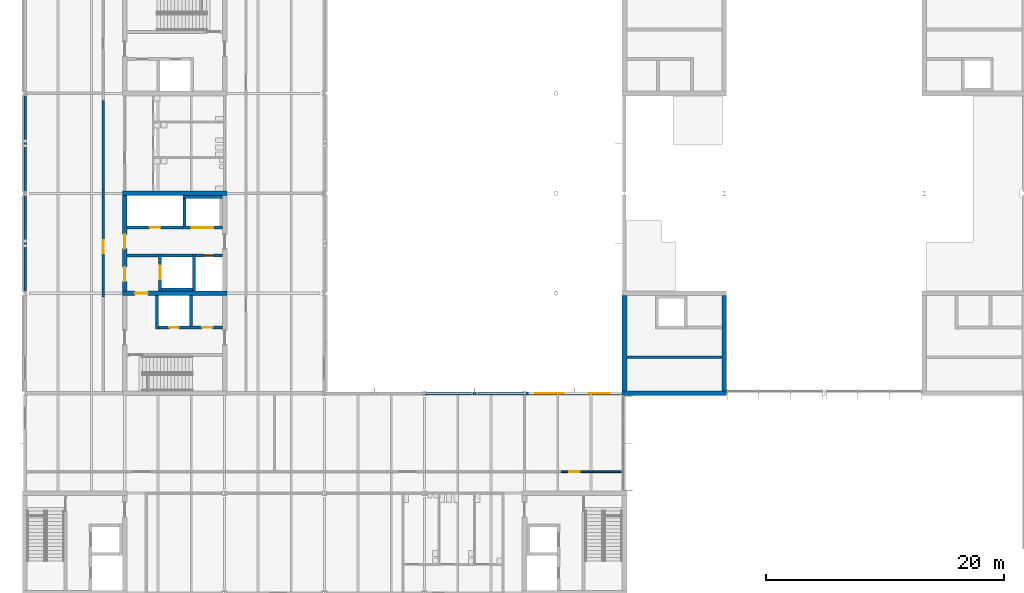
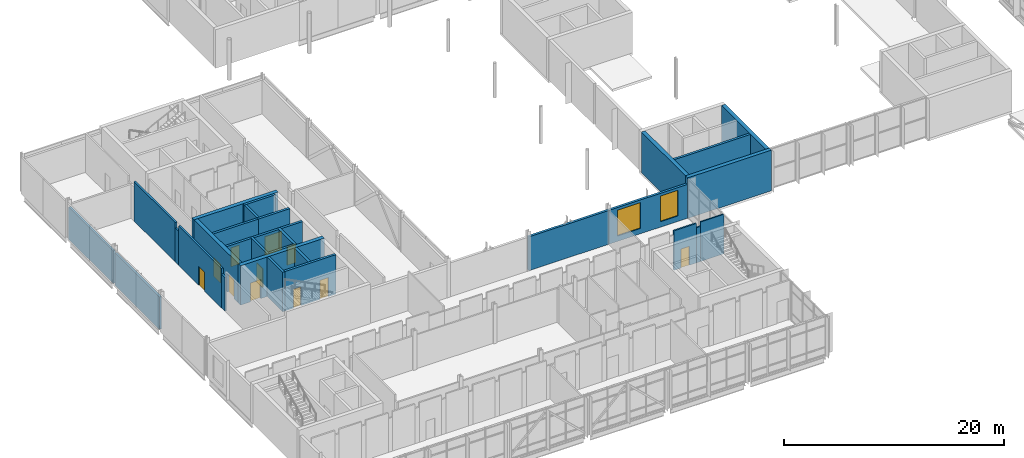
# One storey, part 50 of 89: 31 walls, 11 doors, 2 windows, 13 openings.
"""IFC4 building model written with IfcOpenShell, lengths in metres."""

from ifc_helpers import new_model, si_unit, direction, frame, frame_2d, origin, place, context, subcontext, project, spatial, rectangle, extrude, material, layer, layer_set, type_object, element, fill, save


model = new_model("IFC4")

# Units and contexts
model_context = context("Model", 3, precision=1e-05, world=origin(), true_north=direction((0.0, 1.0)))
body_context = subcontext(model_context, "Body", "Model", "MODEL_VIEW")
ifc_project = project(units=[si_unit("LENGTHUNIT", "METRE"), si_unit("AREAUNIT", "SQUARE_METRE"), si_unit("VOLUMEUNIT", "CUBIC_METRE"), si_unit("PLANEANGLEUNIT", "RADIAN"), si_unit("MASSUNIT", "GRAM", prefix="KILO")], contexts=[model_context])

# Site, building, storey
site_placement = place(None, origin())
site = spatial("IfcSite", under=ifc_project, at=site_placement, CompositionType="ELEMENT")
building_placement = place(site_placement, origin())
building = spatial("IfcBuilding", under=site, at=building_placement, Name="Hlaing Beacon Police Headquarters", CompositionType="ELEMENT")
storey_placement = place(building_placement, frame((0.0, 0.0, 9.89990234375)))
storey = spatial("IfcBuildingStorey", under=building, at=storey_placement, Name="L02", CompositionType="ELEMENT", Elevation=9.89990234375)

# Walls
ifc_material_1 = material(Name="Concrete C60/75", Category="concrete")
ifc_layer_1 = layer(ifc_material_1, 0.39990234375)
ifc_layer_set_1 = layer_set([ifc_layer_1], Name="Concrete C60/75")
wall_type_1 = type_object("IfcWallType", Name="Core shear wall 400", PredefinedType="SHEAR", material=ifc_layer_set_1)
wall_1_placement = place(storey_placement, frame((58.60009765625, 33.60009765625, 0.0), z_axis=(0.0, 0.0, 1.0), x_axis=(1.0, 0.0, 0.0)))
element("IfcWall", 1, at=wall_1_placement, inside=storey, type_object=wall_type_1, Name="Core shear wall", PredefinedType="SHEAR", context=body_context, shape_type="SweptSolid", body=[
    extrude(rectangle(XDim=8.7998046875, YDim=0.39990234375, at=frame_2d((4.39990234375, 0.0))), origin(), (0.0, 0.0, 1.0), 4.5),
])
for number, where, z_axis, x_axis, name in (
    (2, (58.800048828125, 33.800048828125, 0.0), (0.0, 0.0, 1.0), (0.0, 1.0, 0.0), "Core shear wall"),
    (3, (67.199951171875, 33.800048828125, 0.0), (0.0, 0.0, 1.0), (0.0, 1.0, 0.0), "Core shear wall"),
):
    element("IfcWall", number, at=place(storey_placement, frame(where, z_axis=z_axis, x_axis=x_axis)), inside=storey, type_object=wall_type_1, Name=name, PredefinedType="SHEAR", context=body_context, shape_type="SweptSolid", body=[
        extrude(rectangle(XDim=8.0, YDim=0.39990234375, at=frame_2d((4.0, 0.0))), origin(), (0.0, 0.0, 1.0), 4.5),
    ])

# Wall, opening, door
wall_2_placement = place(storey_placement, frame((16.60009765625, 42.0, 0.0), z_axis=(0.0, 0.0, 1.0), x_axis=(1.0, 0.0, 0.0)))
wall_2 = element("IfcWall", 4, at=wall_2_placement, inside=storey, type_object=wall_type_1, Name="Core shear wall", PredefinedType="SHEAR", context=body_context, shape_type="SweptSolid", body=[
    extrude(rectangle(XDim=8.7998046875, YDim=0.39990234375, at=frame_2d((4.39990234375, 0.0))), origin(), (0.0, 0.0, 1.0), 4.3701171875),
])
opening_1_placement = place(wall_2_placement, frame((1.050048828125, 0.0, 0.0)))
opening_1 = element("IfcOpeningElement", 5, at=opening_1_placement, cuts=wall_2, Name="Opening L02-932", PredefinedType="OPENING", context=body_context, shape_type="SweptSolid", body=[
    extrude(rectangle(XDim=1.10009765625, YDim=2.10009765625, at=frame_2d((0.550048828125, 1.050048828125))), frame((0.0, 0.2099609375, 0.0), z_axis=(0.0, -1.0, 0.0), x_axis=(1.0, 0.0, 0.0)), (0.0, 0.0, 1.0), 0.419921875),
])
ifc_material_2 = material(Name="Steel fire door leaf", Category="steel")
ifc_layer_2 = layer(ifc_material_2, 0.070068359375)
ifc_layer_set_2 = layer_set([ifc_layer_2], Name="Steel fire door leaf")
door_type_1 = type_object("IfcDoorType", Name="Steel fire door FD60S 1100x2100", OperationType="SINGLE_SWING_LEFT", PredefinedType="DOOR", material=ifc_layer_set_2)
door_1_placement = place(opening_1_placement, frame((1.10009765625, 0.0, 0.0), z_axis=(0.0, 0.0, 1.0), x_axis=(-1.0, 0.0, 0.0)))
door_1 = element("IfcDoor", 6, at=door_1_placement, inside=storey, type_object=door_type_1, Name="Door Firefighting Lobby Stair", OperationType="SINGLE_SWING_LEFT", OverallHeight=2.10009765625, OverallWidth=1.10009765625, PredefinedType="DOOR", context=body_context, shape_type="SweptSolid", body=[
    extrude(rectangle(XDim=1.10009765625, YDim=2.10009765625, at=frame_2d((0.550048828125, 1.050048828125))), frame((0.0, 0.034912109375, 0.0), z_axis=(0.0, -1.0, 0.0), x_axis=(1.0, 0.0, 0.0)), (0.0, 0.0, 1.0), 0.070068359375),
])
fill(opening_1, door_1)

# Wall
wall_3_placement = place(storey_placement, frame((16.60009765625, 50.39990234375, 0.0), z_axis=(0.0, 0.0, 1.0), x_axis=(1.0, 0.0, 0.0)))
element("IfcWall", 7, at=wall_3_placement, inside=storey, type_object=wall_type_1, Name="Core shear wall", PredefinedType="SHEAR", context=body_context, shape_type="SweptSolid", body=[
    extrude(rectangle(XDim=8.7998046875, YDim=0.39990234375, at=frame_2d((4.39990234375, 0.0))), origin(), (0.0, 0.0, 1.0), 4.3701171875),
])

# Wall, openings, doors
wall_4_placement = place(storey_placement, frame((16.800048828125, 42.199951171875, 0.0), z_axis=(0.0, 0.0, 1.0), x_axis=(0.0, 1.0, 0.0)))
wall_4 = element("IfcWall", 8, at=wall_4_placement, inside=storey, type_object=wall_type_1, Name="Core shear wall", PredefinedType="SHEAR", context=body_context, shape_type="SweptSolid", body=[
    extrude(rectangle(XDim=8.0, YDim=0.39990234375, at=frame_2d((4.0, 0.0))), origin(), (0.0, 0.0, 1.0), 4.3701171875),
])
opening_2_placement = place(wall_4_placement, frame((3.550048828125, 0.0, 0.0)))
opening_2 = element("IfcOpeningElement", 9, at=opening_2_placement, cuts=wall_4, Name="Opening L02-929", PredefinedType="OPENING", context=body_context, shape_type="SweptSolid", body=[
    extrude(rectangle(XDim=1.199951171875, YDim=2.10009765625, at=frame_2d((0.60009765625, 1.050048828125))), frame((0.0, 0.2099609375, 0.0), z_axis=(0.0, -1.0, 0.0), x_axis=(1.0, 0.0, 0.0)), (0.0, 0.0, 1.0), 0.419921875),
])
opening_3_placement = place(wall_4_placement, frame((0.800048828125, 0.0, 0.0)))
opening_3 = element("IfcOpeningElement", 10, at=opening_3_placement, cuts=wall_4, Name="Opening L02-931", PredefinedType="OPENING", context=body_context, shape_type="SweptSolid", body=[
    extrude(rectangle(XDim=1.199951171875, YDim=2.10009765625, at=frame_2d((0.60009765625, 1.050048828125))), frame((0.0, 0.2099609375, 0.0), z_axis=(0.0, -1.0, 0.0), x_axis=(1.0, 0.0, 0.0)), (0.0, 0.0, 1.0), 0.419921875),
])
ifc_material_3 = material(Name="Steel fire door leaf", Category="steel")
ifc_layer_3 = layer(ifc_material_3, 0.070068359375)
ifc_layer_set_3 = layer_set([ifc_layer_3], Name="Steel fire door leaf")
door_type_2 = type_object("IfcDoorType", Name="Steel fire door FD60S 1200x2100", OperationType="SINGLE_SWING_LEFT", PredefinedType="DOOR", material=ifc_layer_set_3)
door_2_placement = place(opening_2_placement, frame((1.199951171875, 0.0, 0.0), z_axis=(0.0, 0.0, 1.0), x_axis=(-1.0, 0.0, 0.0)))
door_2 = element("IfcDoor", 11, at=door_2_placement, inside=storey, type_object=door_type_2, Name="Door Lift Lobby Entry", OperationType="SINGLE_SWING_RIGHT", OverallHeight=2.10009765625, OverallWidth=1.199951171875, PredefinedType="DOOR", context=body_context, shape_type="SweptSolid", body=[
    extrude(rectangle(XDim=1.199951171875, YDim=2.10009765625, at=frame_2d((0.599853515625, 1.050048828125))), frame((0.0, 0.034912109375, 0.0), z_axis=(0.0, -1.0, 0.0), x_axis=(1.0, 0.0, 0.0)), (0.0, 0.0, 1.0), 0.070068359375),
])
fill(opening_2, door_2)
door_3_placement = place(opening_3_placement, frame((1.199951171875, 0.0, 0.0), z_axis=(0.0, 0.0, 1.0), x_axis=(-1.0, 0.0, 0.0)))
door_3 = element("IfcDoor", 12, at=door_3_placement, inside=storey, type_object=door_type_2, Name="Door Firefighting Lobby Entry", OperationType="SINGLE_SWING_LEFT", OverallHeight=2.10009765625, OverallWidth=1.199951171875, PredefinedType="DOOR", context=body_context, shape_type="SweptSolid", body=[
    extrude(rectangle(XDim=1.199951171875, YDim=2.10009765625, at=frame_2d((0.599853515625, 1.050048828125))), frame((0.0, 0.034912109375, 0.0), z_axis=(0.0, -1.0, 0.0), x_axis=(1.0, 0.0, 0.0)), (0.0, 0.0, 1.0), 0.070068359375),
])
fill(opening_3, door_3)

# Wall, opening, door
ifc_material_4 = material(Name="Gypsum board partition")
ifc_layer_4 = layer(ifc_material_4, 0.14990234375)
ifc_layer_set_4 = layer_set([ifc_layer_4], Name="Gypsum board partition")
wall_type_2 = type_object("IfcWallType", Name="Corridor wall EI 30 150", PredefinedType="PARTITIONING", material=ifc_layer_set_4)
wall_5_placement = place(storey_placement, frame((53.429931640625, 27.0, 0.0), z_axis=(0.0, 0.0, 1.0), x_axis=(1.0, 0.0, 0.0)))
wall_5 = element("IfcWall", 13, at=wall_5_placement, inside=storey, type_object=wall_type_2, Name="Corridor wall EI 30 150", PredefinedType="PARTITIONING", context=body_context, shape_type="SweptSolid", body=[
    extrude(rectangle(XDim=2.340087890625, YDim=0.14990234375, at=frame_2d((1.169921875, 0.0))), origin(), (0.0, 0.0, 1.0), 4.3701171875),
])
opening_4_placement = place(wall_5_placement, frame((0.719970703125, 0.0, 0.0)))
opening_4 = element("IfcOpeningElement", 14, at=opening_4_placement, cuts=wall_5, Name="Opening L02-014", PredefinedType="OPENING", context=body_context, shape_type="SweptSolid", body=[
    extrude(rectangle(XDim=0.89990234375, YDim=2.10009765625, at=frame_2d((0.449951171875, 1.050048828125))), frame((0.0, 0.0849609375, 0.0), z_axis=(0.0, -1.0, 0.0), x_axis=(1.0, 0.0, 0.0)), (0.0, 0.0, 1.0), 0.169921875),
])
ifc_material_5 = material(Name="Hardwood door leaf", Category="wood")
ifc_layer_5 = layer(ifc_material_5, 0.050048828125)
ifc_layer_set_5 = layer_set([ifc_layer_5], Name="Hardwood door leaf")
door_type_3 = type_object("IfcDoorType", Name="Fire door FD30S 900x2100", OperationType="SINGLE_SWING_LEFT", PredefinedType="DOOR", material=ifc_layer_set_5)
door_4_placement = place(opening_4_placement, origin())
door_4 = element("IfcDoor", 15, at=door_4_placement, inside=storey, type_object=door_type_3, Name="Door Executive Support Office", OperationType="SINGLE_SWING_RIGHT", OverallHeight=2.10009765625, OverallWidth=0.89990234375, PredefinedType="DOOR", context=body_context, shape_type="SweptSolid", body=[
    extrude(rectangle(XDim=0.89990234375, YDim=2.10009765625, at=frame_2d((0.449951171875, 1.050048828125))), frame((0.0, 0.02490234375, 0.0), z_axis=(0.0, -1.0, 0.0), x_axis=(1.0, 0.0, 0.0)), (0.0, 0.0, 1.0), 0.050048828125),
])
fill(opening_4, door_4)

# Walls
wall_6_placement = place(storey_placement, frame((55.77001953125, 27.0, 0.0), z_axis=(0.0, 0.0, 1.0), x_axis=(1.0, 0.0, 0.0)))
element("IfcWall", 16, at=wall_6_placement, inside=storey, type_object=wall_type_2, Name="Corridor wall EI 30 150", PredefinedType="PARTITIONING", context=body_context, shape_type="SweptSolid", body=[
    extrude(rectangle(XDim=0.4599609375, YDim=0.14990234375, at=frame_2d((0.22998046875, 0.0))), origin(), (0.0, 0.0, 1.0), 3.89501953125),
])
wall_7_placement = place(storey_placement, frame((56.22998046875, 27.0, 0.0), z_axis=(0.0, 0.0, 1.0), x_axis=(1.0, 0.0, 0.0)))
element("IfcWall", 17, at=wall_7_placement, inside=storey, type_object=wall_type_2, Name="Corridor wall EI 30 150", PredefinedType="PARTITIONING", context=body_context, shape_type="SweptSolid", body=[
    extrude(rectangle(XDim=2.419921875, YDim=0.14990234375, at=frame_2d((1.2099609375, 0.0))), origin(), (0.0, 0.0, 1.0), 4.3701171875),
])
ifc_material_6 = material(Name="Concrete blockwork 7.5 N/mm2", Category="masonry")
ifc_layer_6 = layer(ifc_material_6, 0.199951171875)
ifc_layer_set_6 = layer_set([ifc_layer_6], Name="Concrete blockwork 7.5 N/mm2")
wall_type_3 = type_object("IfcWallType", Name="Laboratory wall EI 60 200", PredefinedType="PARTITIONING", material=ifc_layer_set_6)
wall_8_placement = place(storey_placement, frame((15.0, 41.695068359375, 0.0), z_axis=(0.0, 0.0, 1.0), x_axis=(0.0, 1.0, 0.0)))
element("IfcWall", 18, at=wall_8_placement, inside=storey, type_object=wall_type_3, Name="Laboratory wall EI 60 200", PredefinedType="PARTITIONING", context=body_context, shape_type="SweptSolid", body=[
    extrude(rectangle(XDim=0.60986328125, YDim=0.199951171875, at=frame_2d((0.304931640625, 0.0))), origin(), (0.0, 0.0, 1.0), 3.74609375),
])

# Wall, opening, door
wall_9_placement = place(storey_placement, frame((15.0, 42.304931640625, 0.0), z_axis=(0.0, 0.0, 1.0), x_axis=(0.0, 1.0, 0.0)))
wall_9 = element("IfcWall", 19, at=wall_9_placement, inside=storey, type_object=wall_type_3, Name="Laboratory wall EI 60 200", PredefinedType="PARTITIONING", context=body_context, shape_type="SweptSolid", body=[
    extrude(rectangle(XDim=7.7900390625, YDim=0.199951171875, at=frame_2d((3.89501953125, 0.0))), origin(), (0.0, 0.0, 1.0), 4.3701171875),
])
opening_5_placement = place(wall_9_placement, frame((3.044921875, 0.0, 0.0)))
opening_5 = element("IfcOpeningElement", 20, at=opening_5_placement, cuts=wall_9, Name="Opening L02-036", PredefinedType="OPENING", context=body_context, shape_type="SweptSolid", body=[
    extrude(rectangle(XDim=1.10009765625, YDim=2.10009765625, at=frame_2d((0.550048828125, 1.050048828125))), frame((0.0, 0.10986328125, 0.0), z_axis=(0.0, -1.0, 0.0), x_axis=(1.0, 0.0, 0.0)), (0.0, 0.0, 1.0), 0.219970703125),
])
ifc_material_7 = material(Name="Hardwood door leaf", Category="wood")
ifc_layer_7 = layer(ifc_material_7, 0.050048828125)
ifc_layer_set_7 = layer_set([ifc_layer_7], Name="Hardwood door leaf")
door_type_4 = type_object("IfcDoorType", Name="Fire door FD30 1100x2100", OperationType="SINGLE_SWING_LEFT", PredefinedType="DOOR", material=ifc_layer_set_7)
door_5_placement = place(opening_5_placement, origin())
door_5 = element("IfcDoor", 21, at=door_5_placement, inside=storey, type_object=door_type_4, Name="Door Chemistry Forensic Laboratory", OperationType="SINGLE_SWING_LEFT", OverallHeight=2.10009765625, OverallWidth=1.10009765625, PredefinedType="DOOR", context=body_context, shape_type="SweptSolid", body=[
    extrude(rectangle(XDim=1.10009765625, YDim=2.10009765625, at=frame_2d((0.550048828125, 1.050048828125))), frame((0.0, 0.02490234375, 0.0), z_axis=(0.0, -1.0, 0.0), x_axis=(1.0, 0.0, 0.0)), (0.0, 0.0, 1.0), 0.050048828125),
])
fill(opening_5, door_5)

# Walls
wall_10_placement = place(storey_placement, frame((15.0, 50.094970703125, 0.0), z_axis=(0.0, 0.0, 1.0), x_axis=(0.0, 1.0, 0.0)))
element("IfcWall", 22, at=wall_10_placement, inside=storey, type_object=wall_type_3, Name="Laboratory wall EI 60 200", PredefinedType="PARTITIONING", context=body_context, shape_type="SweptSolid", body=[
    extrude(rectangle(XDim=0.610107421875, YDim=0.199951171875, at=frame_2d((0.30517578125, 0.0))), origin(), (0.0, 0.0, 1.0), 3.74609375),
])
wall_11_placement = place(storey_placement, frame((15.0, 50.705078125, 0.0), z_axis=(0.0, 0.0, 1.0), x_axis=(0.0, 1.0, 0.0)))
element("IfcWall", 23, at=wall_11_placement, inside=storey, type_object=wall_type_3, Name="Laboratory wall EI 60 200", PredefinedType="PARTITIONING", context=body_context, shape_type="SweptSolid", body=[
    extrude(rectangle(XDim=7.48486328125, YDim=0.199951171875, at=frame_2d((3.742431640625, 0.0))), origin(), (0.0, 0.0, 1.0), 4.3701171875),
])

# Wall, openings, windows
ifc_material_8 = material(Name="Concrete C40/50 precast ribbed cladding", Category="concrete")
ifc_layer_8 = layer(ifc_material_8, 0.25)
ifc_layer_set_8 = layer_set([ifc_layer_8], Name="Concrete C40/50 precast ribbed cladding")
wall_type_4 = type_object("IfcWallType", Name="Precast ribbed wall 250", PredefinedType="SOLIDWALL", material=ifc_layer_set_8)
wall_12_placement = place(storey_placement, frame((58.60009765625, 33.574951171875, 0.0), z_axis=(0.0, 0.0, 1.0), x_axis=(-1.0, 0.0, 0.0)))
wall_12 = element("IfcWall", 24, at=wall_12_placement, inside=storey, type_object=wall_type_4, Name="External wall L02 N013", PredefinedType="SOLIDWALL", context=body_context, shape_type="SweptSolid", body=[
    extrude(rectangle(XDim=8.196044921875, YDim=0.25, at=frame_2d((4.09814453125, 0.0))), origin(), (0.0, 0.0, 1.0), 3.74609375),
])
opening_6_placement = place(wall_12_placement, frame((1.0, 0.0, 0.60009765625)))
opening_6 = element("IfcOpeningElement", 25, at=opening_6_placement, cuts=wall_12, Name="Opening WN29", PredefinedType="OPENING", context=body_context, shape_type="SweptSolid", body=[
    extrude(rectangle(XDim=1.800048828125, YDim=2.85009765625, at=frame_2d((0.89990234375, 1.425048828125))), frame((0.0, 0.135009765625, 0.0), z_axis=(0.0, -1.0, 0.0), x_axis=(1.0, 0.0, 0.0)), (0.0, 0.0, 1.0), 0.27001953125),
])
opening_7_placement = place(wall_12_placement, frame((4.89990234375, 0.0, 0.60009765625)))
opening_7 = element("IfcOpeningElement", 26, at=opening_7_placement, cuts=wall_12, Name="Opening WN30", PredefinedType="OPENING", context=body_context, shape_type="SweptSolid", body=[
    extrude(rectangle(XDim=2.39990234375, YDim=2.85009765625, at=frame_2d((1.199951171875, 1.425048828125))), frame((0.0, 0.135009765625, 0.0), z_axis=(0.0, -1.0, 0.0), x_axis=(1.0, 0.0, 0.0)), (0.0, 0.0, 1.0), 0.27001953125),
])
ifc_material_9 = material(Name="Aluminium frame with solar control glazing", Category="aluminium")
window_type_1 = type_object("IfcWindowType", Name="Wide window 1800x2850 frame 60", PartitioningType="SINGLE_PANEL", PredefinedType="WINDOW", material=ifc_material_9)
window_1_placement = place(opening_6_placement, origin())
window_1 = element("IfcWindow", 27, at=window_1_placement, inside=storey, type_object=window_type_1, Name="Window L02 WM", OverallHeight=2.85009765625, OverallWidth=1.800048828125, PartitioningType="SINGLE_PANEL", PredefinedType="WINDOW", context=body_context, shape_type="SweptSolid", body=[
    extrude(rectangle(XDim=1.800048828125, YDim=2.85009765625, at=frame_2d((0.89990234375, 1.425048828125))), frame((0.0, 0.030029296875, 0.0), z_axis=(0.0, -1.0, 0.0), x_axis=(1.0, 0.0, 0.0)), (0.0, 0.0, 1.0), 0.06005859375),
])
fill(opening_6, window_1)
ifc_material_10 = material(Name="Aluminium frame with solar control glazing", Category="aluminium")
window_type_2 = type_object("IfcWindowType", Name="Window 2400x2850 frame 60", PartitioningType="SINGLE_PANEL", PredefinedType="WINDOW", material=ifc_material_10)
window_2_placement = place(opening_7_placement, origin())
window_2 = element("IfcWindow", 28, at=window_2_placement, inside=storey, type_object=window_type_2, Name="Window L02 WA", OverallHeight=2.85009765625, OverallWidth=2.39990234375, PartitioningType="SINGLE_PANEL", PredefinedType="WINDOW", context=body_context, shape_type="SweptSolid", body=[
    extrude(rectangle(XDim=2.39990234375, YDim=2.85009765625, at=frame_2d((1.199951171875, 1.425048828125))), frame((0.0, 0.030029296875, 0.0), z_axis=(0.0, -1.0, 0.0), x_axis=(1.0, 0.0, 0.0)), (0.0, 0.0, 1.0), 0.06005859375),
])
fill(opening_7, window_2)

# Walls
wall_13_placement = place(storey_placement, frame((50.39599609375, 33.574951171875, 0.0), z_axis=(0.0, 0.0, 1.0), x_axis=(-1.0, 0.0, 0.0)))
element("IfcWall", 29, at=wall_13_placement, inside=storey, type_object=wall_type_4, Name="External wall L02 N014", PredefinedType="SOLIDWALL", context=body_context, shape_type="SweptSolid", body=[
    extrude(rectangle(XDim=8.39208984375, YDim=0.25, at=frame_2d((4.196044921875, 0.0))), origin(), (0.0, 0.0, 1.0), 3.7431640625),
])
ifc_material_11 = material(Name="Fibre cement ribbed cladding on insulated frame")
ifc_layer_9 = layer(ifc_material_11, 0.22509765625)
ifc_layer_set_9 = layer_set([ifc_layer_9], Name="Fibre cement ribbed cladding on insulated frame")
wall_type_5 = type_object("IfcWallType", Name="Ribbed fibre-cement clad wall 225", PredefinedType="SOLIDWALL", material=ifc_layer_set_9)
for number, where, z_axis, x_axis, name in (
    (30, (8.4375, 58.62939453125, 0.0), (0.0, 0.0, 1.0), (0.0, -1.0, 0.0), "External wall L02 W023"),
    (31, (8.4375, 50.229248046875, 0.0), (0.0, 0.0, 1.0), (0.0, -1.0, 0.0), "External wall L02 W024"),
):
    element("IfcWall", number, at=place(storey_placement, frame(where, z_axis=z_axis, x_axis=x_axis)), inside=storey, type_object=wall_type_5, Name=name, PredefinedType="SOLIDWALL", context=body_context, shape_type="SweptSolid", body=[
        extrude(rectangle(XDim=8.05859375, YDim=0.22509765625, at=frame_2d((4.029296875, 0.0))), origin(), (0.0, 0.0, 1.0), 3.588134765625),
    ])
ifc_material_12 = material(Name="Concrete C40/50", Category="concrete")
ifc_layer_10 = layer(ifc_material_12, 0.25)
ifc_layer_set_10 = layer_set([ifc_layer_10], Name="Concrete C40/50")
wall_type_6 = type_object("IfcWallType", Name="Shaft wall 250", PredefinedType="SOLIDWALL", material=ifc_layer_set_10)
wall_14_placement = place(storey_placement, frame((59.0, 36.625, 0.0), z_axis=(0.0, 0.0, 1.0), x_axis=(1.0, 0.0, 0.0)))
element("IfcWall", 32, at=wall_14_placement, inside=storey, type_object=wall_type_6, Name="Stair enclosure wall", PredefinedType="SOLIDWALL", context=body_context, shape_type="SweptSolid", body=[
    extrude(rectangle(XDim=8.0, YDim=0.25, at=frame_2d((4.0, 0.0))), origin(), (0.0, 0.0, 1.0), 4.5),
])

# Wall, opening, door
wall_15_placement = place(storey_placement, frame((21.699951171875, 47.52490234375, 0.0), z_axis=(0.0, 0.0, 1.0), x_axis=(-1.0, 0.0, 0.0)))
wall_15 = element("IfcWall", 33, at=wall_15_placement, inside=storey, type_object=wall_type_6, Name="Lobby wall", PredefinedType="SOLIDWALL", context=body_context, shape_type="SweptSolid", body=[
    extrude(rectangle(XDim=4.699951171875, YDim=0.25, at=frame_2d((2.35009765625, 0.0))), origin(), (0.0, 0.0, 1.0), 4.3701171875),
])
opening_8_placement = place(wall_15_placement, frame((1.89990234375, 0.0, 0.0)))
opening_8 = element("IfcOpeningElement", 34, at=opening_8_placement, cuts=wall_15, Name="Opening L02-933", PredefinedType="OPENING", context=body_context, shape_type="SweptSolid", body=[
    extrude(rectangle(XDim=0.89990234375, YDim=2.10009765625, at=frame_2d((0.449951171875, 1.050048828125))), frame((0.0, 0.135009765625, 0.0), z_axis=(0.0, -1.0, 0.0), x_axis=(1.0, 0.0, 0.0)), (0.0, 0.0, 1.0), 0.27001953125),
])
ifc_material_13 = material(Name="Steel fire door leaf", Category="steel")
ifc_layer_11 = layer(ifc_material_13, 0.070068359375)
ifc_layer_set_11 = layer_set([ifc_layer_11], Name="Steel fire door leaf")
door_type_5 = type_object("IfcDoorType", Name="Steel fire door FD60 900x2100", OperationType="SINGLE_SWING_LEFT", PredefinedType="DOOR", material=ifc_layer_set_11)
door_6_placement = place(opening_8_placement, frame((0.89990234375, 0.0, 0.0), z_axis=(0.0, 0.0, 1.0), x_axis=(-1.0, 0.0, 0.0)))
door_6 = element("IfcDoor", 35, at=door_6_placement, inside=storey, type_object=door_type_5, Name="Door Services Riser", OperationType="SINGLE_SWING_RIGHT", OverallHeight=2.10009765625, OverallWidth=0.89990234375, PredefinedType="DOOR", context=body_context, shape_type="SweptSolid", body=[
    extrude(rectangle(XDim=0.89990234375, YDim=2.10009765625, at=frame_2d((0.449951171875, 1.050048828125))), frame((0.0, 0.034912109375, 0.0), z_axis=(0.0, -1.0, 0.0), x_axis=(1.0, 0.0, 0.0)), (0.0, 0.0, 1.0), 0.070068359375),
])
fill(opening_8, door_6)

wall_16_placement = place(storey_placement, frame((25.0, 45.175048828125, 0.0), z_axis=(0.0, 0.0, 1.0), x_axis=(-1.0, 0.0, 0.0)))
wall_16 = element("IfcWall", 36, at=wall_16_placement, inside=storey, type_object=wall_type_6, Name="Lobby wall", PredefinedType="SOLIDWALL", context=body_context, shape_type="SweptSolid", body=[
    extrude(rectangle(XDim=2.25, YDim=0.25, at=frame_2d((1.125, 0.0))), origin(), (0.0, 0.0, 1.0), 4.3701171875),
])
opening_9_placement = place(wall_16_placement, frame((0.675048828125, 0.0, 0.0)))
opening_9 = element("IfcOpeningElement", 37, at=opening_9_placement, cuts=wall_16, Name="Opening L02-934", PredefinedType="OPENING", context=body_context, shape_type="SweptSolid", body=[
    extrude(rectangle(XDim=0.89990234375, YDim=2.10009765625, at=frame_2d((0.449951171875, 1.050048828125))), frame((0.0, 0.135009765625, 0.0), z_axis=(0.0, -1.0, 0.0), x_axis=(1.0, 0.0, 0.0)), (0.0, 0.0, 1.0), 0.27001953125),
])
ifc_material_14 = material(Name="Steel fire door leaf", Category="steel")
ifc_layer_12 = layer(ifc_material_14, 0.10009765625)
ifc_layer_set_12 = layer_set([ifc_layer_12], Name="Steel fire door leaf")
door_type_6 = type_object("IfcDoorType", Name="Steel fire door FD120 900x2100", OperationType="SINGLE_SWING_LEFT", PredefinedType="DOOR", material=ifc_layer_set_12)
door_7_placement = place(opening_9_placement, origin())
door_7 = element("IfcDoor", 38, at=door_7_placement, inside=storey, type_object=door_type_6, Name="Door Electrical Riser Room", OperationType="SINGLE_SWING_LEFT", OverallHeight=2.10009765625, OverallWidth=0.89990234375, PredefinedType="DOOR", context=body_context, shape_type="SweptSolid", body=[
    extrude(rectangle(XDim=0.89990234375, YDim=2.10009765625, at=frame_2d((0.449951171875, 1.050048828125))), frame((0.0, 0.050048828125, 0.0), z_axis=(0.0, -1.0, 0.0), x_axis=(1.0, 0.0, 0.0)), (0.0, 0.0, 1.0), 0.10009765625),
])
fill(opening_9, door_7)

# Walls
wall_17_placement = place(storey_placement, frame((19.64990234375, 45.175048828125, 0.0), z_axis=(0.0, 0.0, 1.0), x_axis=(-1.0, 0.0, 0.0)))
element("IfcWall", 39, at=wall_17_placement, inside=storey, type_object=wall_type_6, Name="Firefighting lobby wall", PredefinedType="SOLIDWALL", context=body_context, shape_type="SweptSolid", body=[
    extrude(rectangle(XDim=2.64990234375, YDim=0.25, at=frame_2d((1.324951171875, 0.0))), origin(), (0.0, 0.0, 1.0), 4.3701171875),
])
wall_18_placement = place(storey_placement, frame((19.52490234375, 39.0, 0.0), z_axis=(0.0, 0.0, 1.0), x_axis=(0.0, 1.0, 0.0)))
element("IfcWall", 40, at=wall_18_placement, inside=storey, type_object=wall_type_6, Name="Lobby wall", PredefinedType="SOLIDWALL", context=body_context, shape_type="SweptSolid", body=[
    extrude(rectangle(XDim=2.800048828125, YDim=0.25, at=frame_2d((1.39990234375, 0.0))), origin(), (0.0, 0.0, 1.0), 4.3701171875),
])

# Wall, openings, doors
wall_19_placement = place(storey_placement, frame((19.64990234375, 39.125, 0.0), z_axis=(0.0, 0.0, 1.0), x_axis=(1.0, 0.0, 0.0)))
wall_19 = element("IfcWall", 41, at=wall_19_placement, inside=storey, type_object=wall_type_6, Name="Lobby wall", PredefinedType="SOLIDWALL", context=body_context, shape_type="SweptSolid", body=[
    extrude(rectangle(XDim=5.35009765625, YDim=0.25, at=frame_2d((2.675048828125, 0.0))), origin(), (0.0, 0.0, 1.0), 4.3701171875),
])
opening_10_placement = place(wall_19_placement, frame((3.64990234375, 0.0, 0.0)))
opening_10 = element("IfcOpeningElement", 42, at=opening_10_placement, cuts=wall_19, Name="Opening L02-940", PredefinedType="OPENING", context=body_context, shape_type="SweptSolid", body=[
    extrude(rectangle(XDim=0.89990234375, YDim=2.10009765625, at=frame_2d((0.449951171875, 1.050048828125))), frame((0.0, 0.135009765625, 0.0), z_axis=(0.0, -1.0, 0.0), x_axis=(1.0, 0.0, 0.0)), (0.0, 0.0, 1.0), 0.27001953125),
])
opening_11_placement = place(wall_19_placement, frame((0.89990234375, 0.0, 0.0)))
opening_11 = element("IfcOpeningElement", 43, at=opening_11_placement, cuts=wall_19, Name="Opening L02-943", PredefinedType="OPENING", context=body_context, shape_type="SweptSolid", body=[
    extrude(rectangle(XDim=0.800048828125, YDim=2.10009765625, at=frame_2d((0.39990234375, 1.050048828125))), frame((0.0, 0.135009765625, 0.0), z_axis=(0.0, -1.0, 0.0), x_axis=(1.0, 0.0, 0.0)), (0.0, 0.0, 1.0), 0.27001953125),
])
ifc_material_15 = material(Name="Steel fire door leaf", Category="steel")
ifc_layer_13 = layer(ifc_material_15, 0.070068359375)
ifc_layer_set_13 = layer_set([ifc_layer_13], Name="Steel fire door leaf")
door_type_7 = type_object("IfcDoorType", Name="Steel fire door FD60 800x2100", OperationType="SINGLE_SWING_LEFT", PredefinedType="DOOR", material=ifc_layer_set_13)
door_8_placement = place(opening_11_placement, origin())
door_8 = element("IfcDoor", 44, at=door_8_placement, inside=storey, type_object=door_type_7, Name="Door Services Riser", OperationType="SINGLE_SWING_RIGHT", OverallHeight=2.10009765625, OverallWidth=0.800048828125, PredefinedType="DOOR", context=body_context, shape_type="SweptSolid", body=[
    extrude(rectangle(XDim=0.800048828125, YDim=2.10009765625, at=frame_2d((0.39990234375, 1.050048828125))), frame((0.0, 0.03515625, 0.0), z_axis=(0.0, -1.0, 0.0), x_axis=(1.0, 0.0, 0.0)), (0.0, 0.0, 1.0), 0.070068359375),
])
fill(opening_11, door_8)
door_9_placement = place(opening_10_placement, origin())
door_9 = element("IfcDoor", 45, at=door_9_placement, inside=storey, type_object=door_type_5, Name="Door Cleaners' Store", OperationType="SINGLE_SWING_LEFT", OverallHeight=2.10009765625, OverallWidth=0.89990234375, PredefinedType="DOOR", context=body_context, shape_type="SweptSolid", body=[
    extrude(rectangle(XDim=0.89990234375, YDim=2.10009765625, at=frame_2d((0.449951171875, 1.050048828125))), frame((0.0, 0.03515625, 0.0), z_axis=(0.0, -1.0, 0.0), x_axis=(1.0, 0.0, 0.0)), (0.0, 0.0, 1.0), 0.070068359375),
])
fill(opening_10, door_9)

# Walls
wall_20_placement = place(storey_placement, frame((22.375, 39.25, 0.0), z_axis=(0.0, 0.0, 1.0), x_axis=(0.0, 1.0, 0.0)))
element("IfcWall", 46, at=wall_20_placement, inside=storey, type_object=wall_type_6, Name="Riser wall", PredefinedType="SOLIDWALL", context=body_context, shape_type="SweptSolid", body=[
    extrude(rectangle(XDim=2.550048828125, YDim=0.25, at=frame_2d((1.27490234375, 0.0))), origin(), (0.0, 0.0, 1.0), 4.3701171875),
])
wall_21_placement = place(storey_placement, frame((21.699951171875, 50.074951171875, 0.0), z_axis=(0.0, 0.0, 1.0), x_axis=(1.0, 0.0, 0.0)))
element("IfcWall", 47, at=wall_21_placement, inside=storey, type_object=wall_type_6, Name="Lift shaft wall EL1", PredefinedType="SOLIDWALL", context=body_context, shape_type="SweptSolid", body=[
    extrude(rectangle(XDim=3.300048828125, YDim=0.25, at=frame_2d((1.64990234375, 0.0))), origin(), (0.0, 0.0, 1.0), 4.3701171875),
])

# Wall, opening, door
wall_22_placement = place(storey_placement, frame((21.699951171875, 47.52490234375, 0.0), z_axis=(0.0, 0.0, 1.0), x_axis=(1.0, 0.0, 0.0)))
wall_22 = element("IfcWall", 48, at=wall_22_placement, inside=storey, type_object=wall_type_6, Name="Lift shaft wall EL1", PredefinedType="SOLIDWALL", context=body_context, shape_type="SweptSolid", body=[
    extrude(rectangle(XDim=3.300048828125, YDim=0.25, at=frame_2d((1.64990234375, 0.0))), origin(), (0.0, 0.0, 1.0), 4.3701171875),
])
opening_12_placement = place(wall_22_placement, frame((0.75, 0.0, 0.0)))
opening_12 = element("IfcOpeningElement", 49, at=opening_12_placement, cuts=wall_22, Name="Opening LD-EL1-L02", PredefinedType="OPENING", context=body_context, shape_type="SweptSolid", body=[
    extrude(rectangle(XDim=1.800048828125, YDim=2.10009765625, at=frame_2d((0.89990234375, 1.050048828125))), frame((0.0, 0.135009765625, 0.0), z_axis=(0.0, -1.0, 0.0), x_axis=(1.0, 0.0, 0.0)), (0.0, 0.0, 1.0), 0.27001953125),
])
ifc_material_16 = material(Name="Stainless steel lift landing door", Category="steel")
ifc_layer_14 = layer(ifc_material_16, 0.06005859375)
ifc_layer_set_14 = layer_set([ifc_layer_14], Name="Stainless steel lift landing door")
door_type_8 = type_object("IfcDoorType", Name="Lift landing door 1800x2100", OperationType="DOUBLE_DOOR_SLIDING", PredefinedType="DOOR", material=ifc_layer_set_14)
door_10_placement = place(opening_12_placement, origin())
door_10 = element("IfcDoor", 50, at=door_10_placement, inside=storey, type_object=door_type_8, Name="Landing door EL1 L02", OperationType="DOUBLE_DOOR_SLIDING", OverallHeight=2.10009765625, OverallWidth=1.800048828125, PredefinedType="DOOR", context=body_context, shape_type="SweptSolid", body=[
    extrude(rectangle(XDim=1.800048828125, YDim=2.10009765625, at=frame_2d((0.89990234375, 1.050048828125))), frame((0.0, 0.0400390625, 0.0), z_axis=(0.0, -1.0, 0.0), x_axis=(1.0, 0.0, 0.0)), (0.0, 0.0, 1.0), 0.080078125),
])
fill(opening_12, door_10)

# Walls
wall_23_placement = place(storey_placement, frame((21.824951171875, 47.64990234375, 0.0), z_axis=(0.0, 0.0, 1.0), x_axis=(0.0, 1.0, 0.0)))
element("IfcWall", 51, at=wall_23_placement, inside=storey, type_object=wall_type_6, Name="Lift shaft wall EL1", PredefinedType="SOLIDWALL", context=body_context, shape_type="SweptSolid", body=[
    extrude(rectangle(XDim=2.300048828125, YDim=0.25, at=frame_2d((1.14990234375, 0.0))), origin(), (0.0, 0.0, 1.0), 4.3701171875),
])
wall_24_placement = place(storey_placement, frame((22.625, 42.199951171875, 0.0), z_axis=(0.0, 0.0, 1.0), x_axis=(0.0, 1.0, 0.0)))
element("IfcWall", 52, at=wall_24_placement, inside=storey, type_object=wall_type_6, Name="Lift shaft wall FL2", PredefinedType="SOLIDWALL", context=body_context, shape_type="SweptSolid", body=[
    extrude(rectangle(XDim=3.10009765625, YDim=0.25, at=frame_2d((1.550048828125, 0.0))), origin(), (0.0, 0.0, 1.0), 4.3701171875),
])
for number, where, z_axis, x_axis, name in (
    (53, (19.89990234375, 45.175048828125, 0.0), (0.0, 0.0, 1.0), (1.0, 0.0, 0.0), "Lift shaft wall FL2"),
    (54, (19.89990234375, 42.324951171875, 0.0), (0.0, 0.0, 1.0), (1.0, 0.0, 0.0), "Lift shaft wall FL2"),
):
    element("IfcWall", number, at=place(storey_placement, frame(where, z_axis=z_axis, x_axis=x_axis)), inside=storey, type_object=wall_type_6, Name=name, PredefinedType="SOLIDWALL", context=body_context, shape_type="SweptSolid", body=[
        extrude(rectangle(XDim=2.60009765625, YDim=0.25, at=frame_2d((1.300048828125, 0.0))), origin(), (0.0, 0.0, 1.0), 4.3701171875),
    ])

# Wall, opening, door
wall_25_placement = place(storey_placement, frame((19.77490234375, 42.199951171875, 0.0), z_axis=(0.0, 0.0, 1.0), x_axis=(0.0, 1.0, 0.0)))
wall_25 = element("IfcWall", 55, at=wall_25_placement, inside=storey, type_object=wall_type_6, Name="Lift shaft wall FL2", PredefinedType="SOLIDWALL", context=body_context, shape_type="SweptSolid", body=[
    extrude(rectangle(XDim=3.10009765625, YDim=0.25, at=frame_2d((1.550048828125, 0.0))), origin(), (0.0, 0.0, 1.0), 4.3701171875),
])
opening_13_placement = place(wall_25_placement, frame((1.0, 0.0, 0.0)))
opening_13 = element("IfcOpeningElement", 56, at=opening_13_placement, cuts=wall_25, Name="Opening LD-FL2-L02", PredefinedType="OPENING", context=body_context, shape_type="SweptSolid", body=[
    extrude(rectangle(XDim=1.10009765625, YDim=2.10009765625, at=frame_2d((0.550048828125, 1.050048828125))), frame((0.0, 0.135009765625, 0.0), z_axis=(0.0, -1.0, 0.0), x_axis=(1.0, 0.0, 0.0)), (0.0, 0.0, 1.0), 0.27001953125),
])
ifc_material_17 = material(Name="Stainless steel lift landing door", Category="steel")
ifc_layer_15 = layer(ifc_material_17, 0.06005859375)
ifc_layer_set_15 = layer_set([ifc_layer_15], Name="Stainless steel lift landing door")
door_type_9 = type_object("IfcDoorType", Name="Lift landing door 1100x2100", OperationType="DOUBLE_DOOR_SLIDING", PredefinedType="DOOR", material=ifc_layer_set_15)
door_11_placement = place(opening_13_placement, origin())
door_11 = element("IfcDoor", 57, at=door_11_placement, inside=storey, type_object=door_type_9, Name="Landing door FL2 L02", OperationType="DOUBLE_DOOR_SLIDING", OverallHeight=2.10009765625, OverallWidth=1.10009765625, PredefinedType="DOOR", context=body_context, shape_type="SweptSolid", body=[
    extrude(rectangle(XDim=1.10009765625, YDim=2.10009765625, at=frame_2d((0.550048828125, 1.050048828125))), frame((0.0, 0.0400390625, 0.0), z_axis=(0.0, -1.0, 0.0), x_axis=(1.0, 0.0, 0.0)), (0.0, 0.0, 1.0), 0.080078125),
])
fill(opening_13, door_11)

save(model, "model.ifc")
